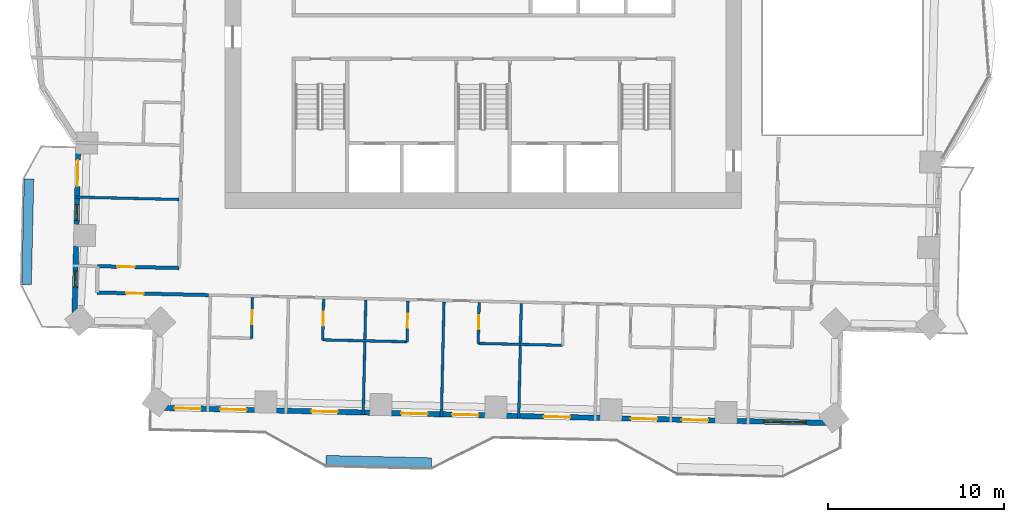
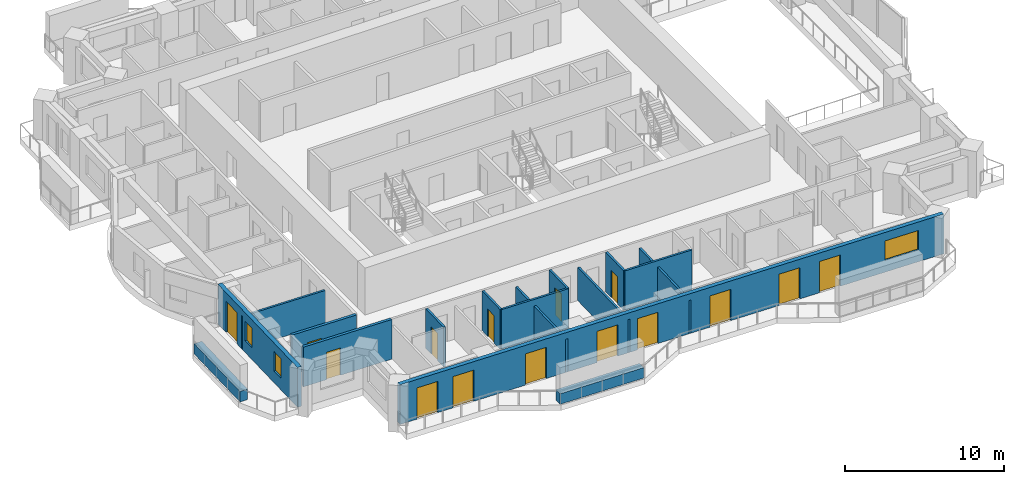
# One storey, part 4 of 14: 16 walls, 15 doors, 3 windows, 18 openings.
"""IFC4 building model written with IfcOpenShell, lengths in metres."""

import ifcopenshell
import ifcopenshell.guid

model = None  # the IFC model being written
_history = None  # IfcOwnerHistory: only IFC2X3 demands one
_inside = {}  # id of a spatial element -> (the spatial element, [elements in it])
_under = {}  # id of a project, library or spatial element -> (it, [spatial elements below it])
_declared = {}  # id of a project -> (the project, [libraries it declares])
_typed = {}  # id of a type object -> (the type object, [elements of that type])
_made_of = {}  # id of a material, layer set ... -> (it, [elements and type objects made of it])


def new_model(schema):
    """Start an empty IFC model of exactly this schema.

    Asked for "IFC4X3", IfcOpenShell would pick the latest addendum, in which some entities
    have other attributes; the version numbers below select the first issue.
    IFC2X3 requires an IfcOwnerHistory on every rooted entity: one is made here for all.
    """
    global model, _history
    if schema == "IFC4X3":
        model = ifcopenshell.file(schema_version=(4, 3, 0, 0))
    else:
        model = ifcopenshell.file(schema=schema)
    _inside.clear()
    _under.clear()
    _declared.clear()
    _typed.clear()
    _made_of.clear()
    _history = None
    if model.schema == "IFC2X3":
        org = make("IfcOrganization", Name="unknown")
        user = make(
            "IfcPersonAndOrganization",
            ThePerson=make("IfcPerson", FamilyName="unknown"),
            TheOrganization=org,
        )
        app = make(
            "IfcApplication",
            ApplicationDeveloper=org,
            Version="unknown",
            ApplicationFullName="unknown",
            ApplicationIdentifier="unknown",
        )
        _history = make(
            "IfcOwnerHistory",
            OwningUser=user,
            OwningApplication=app,
            ChangeAction="ADDED",
            CreationDate=0,
        )
    return model


def make(cls, **values):
    """One entity of the class cls with the attributes given. An attribute that is None is left unset."""
    return model.create_entity(
        cls, **{name: value for name, value in values.items() if value is not None}
    )


def rooted(cls, **values):
    """An entity with a GlobalId (a new one), such as an element, a storey or a relation."""
    return make(cls, GlobalId=ifcopenshell.guid.new(), OwnerHistory=_history, **values)


def si_unit(unit_type, name, prefix=None):
    """IfcSIUnit, for example si_unit("LENGTHUNIT", "METRE", prefix="MILLI")."""
    return make("IfcSIUnit", UnitType=unit_type, Prefix=prefix, Name=name)


def assignment(units):
    """IfcUnitAssignment: the units of a project."""
    return None if units is None else make("IfcUnitAssignment", Units=units)


def point(xyz):
    """IfcCartesianPoint."""
    return None if xyz is None else make("IfcCartesianPoint", Coordinates=xyz)


def direction(xyz):
    """IfcDirection."""
    return None if xyz is None else make("IfcDirection", DirectionRatios=xyz)


def frame(location, z_axis=None, x_axis=None):
    """IfcAxis2Placement3D, a coordinate frame: its origin and axes. An axis left out is left unset."""
    return make(
        "IfcAxis2Placement3D",
        Location=point(location),
        Axis=direction(z_axis),
        RefDirection=direction(x_axis),
    )


def frame_2d(location, x_axis=None):
    """IfcAxis2Placement2D, a coordinate frame in the plane: its origin and x axis."""
    return make(
        "IfcAxis2Placement2D", Location=point(location), RefDirection=direction(x_axis)
    )


def origin():
    """The frame at (0, 0, 0) with its axes left unset."""
    return frame((0.0, 0.0, 0.0))


def place(relative_to, where):
    """IfcLocalPlacement: puts the frame where relative to a parent placement (None: the world)."""
    return make(
        "IfcLocalPlacement", PlacementRelTo=relative_to, RelativePlacement=where
    )


def context(
    kind, dimensions, precision=None, world=None, true_north=None, identifier=None
):
    """IfcGeometricRepresentationContext, for example the 3D "Model" context."""
    return make(
        "IfcGeometricRepresentationContext",
        ContextIdentifier=identifier,
        ContextType=kind,
        CoordinateSpaceDimension=dimensions,
        Precision=precision,
        WorldCoordinateSystem=world,
        TrueNorth=true_north,
    )


def subcontext(parent, identifier, kind, view, scale=None):
    """IfcGeometricRepresentationSubContext, for example "Body" below "Model"."""
    return make(
        "IfcGeometricRepresentationSubContext",
        ContextIdentifier=identifier,
        ContextType=kind,
        ParentContext=parent,
        TargetScale=scale,
        TargetView=view,
    )


def project(units=None, contexts=None):
    """IfcProject with its units and contexts."""
    return rooted(
        "IfcProject",
        Name="project",
        RepresentationContexts=contexts,
        UnitsInContext=assignment(units),
    )


def spatial(cls, under=None, at=None, **own):
    """A site, building, storey or space (cls), placed at a placement, below another one or the project."""
    s = rooted(cls, ObjectPlacement=at, **own)
    if under is not None:
        _under.setdefault(under.id(), (under, []))[1].append(s)
    return s


def profile(cls, at=None, kind="AREA", **sizes):
    """A parametric profile (cls). Its sizes go by their IFC names, for example OverallWidth=200.0."""
    return make(cls, ProfileType=kind, Position=at, **sizes)


def rectangle(**sizes):
    """IfcRectangleProfileDef."""
    return profile("IfcRectangleProfileDef", **sizes)


def extrude(swept, where, along, depth):
    """IfcExtrudedAreaSolid: the profile swept, set in the frame where, extruded along a direction by depth."""
    return make(
        "IfcExtrudedAreaSolid",
        SweptArea=swept,
        Position=where,
        ExtrudedDirection=direction(along),
        Depth=depth,
    )


def shape(context_of_items, identifier, shape_type, items):
    """IfcShapeRepresentation: the items that make up one representation, for example the "Body"."""
    return make(
        "IfcShapeRepresentation",
        ContextOfItems=context_of_items,
        RepresentationIdentifier=identifier,
        RepresentationType=shape_type,
        Items=items,
    )


def material(Name=None, Category=None):
    """IfcMaterial."""
    return make("IfcMaterial", Name=Name, Category=Category)


def layer(
    of_material, thickness, ventilated=None, Name=None, Category=None, Priority=None
):
    """IfcMaterialLayer: one layer of a wall or slab, of a material (None: an air gap)."""
    return make(
        "IfcMaterialLayer",
        Material=of_material,
        LayerThickness=thickness,
        IsVentilated=ventilated,
        Name=Name,
        Category=Category,
        Priority=Priority,
    )


def layer_set(layers, Name=None):
    """IfcMaterialLayerSet."""
    return make("IfcMaterialLayerSet", MaterialLayers=layers, LayerSetName=Name)


def made_of(thing, what):
    """Note that an element or type object is made of a material, layer set ...; save() writes the relation."""
    if what is not None:
        _made_of.setdefault(what.id(), (what, []))[1].append(thing)
    return thing


def type_object(cls, material=None, **own):
    """A type object (cls), such as IfcWallType, which elements share."""
    return made_of(rooted(cls, **own), material)


def element(
    cls,
    number,
    at=None,
    inside=None,
    cuts=None,
    type_object=None,
    material=None,
    context=None,
    identifier="Body",
    shape_type=None,
    held_by="IfcProductDefinitionShape",
    body=None,
    shapes=None,
    **own,
):
    """One element of the class cls, such as IfcWall. Its Tag is "e" and its number.

    at: its placement. inside: the storey or other place that contains it. cuts: it is an
    opening in that element (IfcRelVoidsElement). A single representation is given by context,
    identifier, shape_type and body (its items); several are given by shapes. held_by: the class
    of the entity that holds the representations. save() writes the other relations.
    """
    e = rooted(cls, Tag="e%d" % number, ObjectPlacement=at, **own)
    if body is not None:
        shapes = [shape(context, identifier, shape_type, body)]
    if shapes is not None:
        e.Representation = make(held_by, Representations=shapes)
    if inside is not None:
        _inside.setdefault(inside.id(), (inside, []))[1].append(e)
    if cuts is not None:
        rooted(
            "IfcRelVoidsElement", RelatingBuildingElement=cuts, RelatedOpeningElement=e
        )
    if type_object is not None:
        _typed.setdefault(type_object.id(), (type_object, []))[1].append(e)
    return made_of(e, material)


def fill(opening, filler):
    """IfcRelFillsElement: the door or window that sits in an opening."""
    return rooted(
        "IfcRelFillsElement",
        RelatingOpeningElement=opening,
        RelatedBuildingElement=filler,
    )


def aggregate(whole, parts):
    """IfcRelAggregates: a whole, such as a stair, and the parts it consists of."""
    return rooted("IfcRelAggregates", RelatingObject=whole, RelatedObjects=parts)


def save(model, path):
    """Write the relations noted so far, then the file.

    IfcRelAggregates (storeys below a building ...), IfcRelContainedInSpatialStructure (elements
    in a storey), IfcRelDefinesByType, IfcRelAssociatesMaterial and IfcRelDeclares: one each for
    every whole, place, type object, material and project.
    """
    for whole, parts in _under.values():
        aggregate(whole, parts)
    for where, things in _inside.values():
        rooted(
            "IfcRelContainedInSpatialStructure",
            RelatedElements=things,
            RelatingStructure=where,
        )
    for kind, things in _typed.values():
        rooted("IfcRelDefinesByType", RelatedObjects=things, RelatingType=kind)
    for what, things in _made_of.values():
        rooted("IfcRelAssociatesMaterial", RelatedObjects=things, RelatingMaterial=what)
    for by, libraries in _declared.values():
        rooted("IfcRelDeclares", RelatingContext=by, RelatedDefinitions=libraries)
    model.write(path)


model = new_model("IFC4")

# Units and contexts
model_context = context("Model", 3, precision=1e-05, world=origin(), true_north=direction((0.0, 1.0)))
body_context = subcontext(model_context, "Body", "Model", "MODEL_VIEW")
ifc_project = project(units=[si_unit("LENGTHUNIT", "METRE"), si_unit("AREAUNIT", "SQUARE_METRE"), si_unit("VOLUMEUNIT", "CUBIC_METRE"), si_unit("PLANEANGLEUNIT", "RADIAN"), si_unit("MASSUNIT", "GRAM", prefix="KILO")], contexts=[model_context])

# Site, building, storey
site_placement = place(None, origin())
site = spatial("IfcSite", under=ifc_project, at=site_placement, CompositionType="ELEMENT")
building_placement = place(site_placement, origin())
building = spatial("IfcBuilding", under=site, at=building_placement, Name="Mangrove Gate Tower", CompositionType="ELEMENT")
storey_placement = place(building_placement, frame((0.0, 0.0, 167.10009765625)))
storey = spatial("IfcBuildingStorey", under=building, at=storey_placement, Name="L42", CompositionType="ELEMENT", Elevation=167.10009765625)

# Wall, opening, door
ifc_material_1 = material(Name="Gypsum board on steel stud, EI 60", Category="steel")
ifc_layer_1 = layer(ifc_material_1, 0.199951171875)
ifc_layer_set_1 = layer_set([ifc_layer_1], Name="Corridor wall EI 60")
wall_type_1 = type_object("IfcWallType", Name="Corridor wall EI 60", PredefinedType="PARTITIONING", material=ifc_layer_set_1)
wall_1_placement = place(storey_placement, frame((-21.98291015625, -16.489013671875, 0.0), z_axis=(0.0, 0.0, 1.0), x_axis=(0.999744930163, -0.022584831499, 0.0)))
wall_1 = element("IfcWall", 1, at=wall_1_placement, inside=storey, type_object=wall_type_1, Name="WALL-L42-024", PredefinedType="PARTITIONING", context=body_context, shape_type="SweptSolid", body=[
    extrude(rectangle(XDim=6.334716796875, YDim=0.199951171875, at=frame_2d((3.16748046875, 0.0))), origin(), (0.0, 0.0, 1.0), 3.0498046875),
])
opening_1_placement = place(wall_1_placement, frame((1.6630859375, 0.0, 0.0)))
opening_1 = element("IfcOpeningElement", 2, at=opening_1_placement, cuts=wall_1, Name="Opening AD", PredefinedType="OPENING", context=body_context, shape_type="SweptSolid", body=[
    extrude(rectangle(XDim=1.0, YDim=2.10009765625, at=frame_2d((0.5, 1.050048828125))), frame((0.0, 0.10986328125, 0.0), z_axis=(0.0, -1.0, 0.0), x_axis=(1.0, 0.0, 0.0)), (0.0, 0.0, 1.0), 0.219970703125),
])
ifc_material_2 = material(Name="Timber door leaf", Category="wood")
door_type_1 = type_object("IfcDoorType", Name="Amenity door 1000", OperationType="SINGLE_SWING_LEFT", PredefinedType="DOOR", material=ifc_material_2)
door_1_placement = place(opening_1_placement, origin())
door_1 = element("IfcDoor", 3, at=door_1_placement, inside=storey, type_object=door_type_1, Name="DOOR-L42-STU-c1a", OperationType="SINGLE_SWING_LEFT", OverallHeight=2.10009765625, OverallWidth=1.0, PredefinedType="DOOR", context=body_context, shape_type="SweptSolid", body=[
    extrude(rectangle(XDim=1.0, YDim=2.10009765625, at=frame_2d((0.5, 1.050048828125))), frame((0.0, 0.02490234375, 0.0), z_axis=(0.0, -1.0, 0.0), x_axis=(1.0, 0.0, 0.0)), (0.0, 0.0, 1.0), 0.050048828125),
])
fill(opening_1, door_1)

wall_2_placement = place(storey_placement, frame((-21.948974609375, -14.989013671875, 0.0), z_axis=(0.0, 0.0, 1.0), x_axis=(0.999743491588, -0.022648422179, 0.0)))
wall_2 = element("IfcWall", 4, at=wall_2_placement, inside=storey, type_object=wall_type_1, Name="WALL-L42-031", PredefinedType="PARTITIONING", context=body_context, shape_type="SweptSolid", body=[
    extrude(rectangle(XDim=4.63525390625, YDim=0.199951171875, at=frame_2d((2.317626953125, 0.0))), origin(), (0.0, 0.0, 1.0), 3.0498046875),
])
opening_2_placement = place(wall_2_placement, frame((1.116943359375, 0.0, 0.0)))
opening_2 = element("IfcOpeningElement", 5, at=opening_2_placement, cuts=wall_2, Name="Opening AD", PredefinedType="OPENING", context=body_context, shape_type="SweptSolid", body=[
    extrude(rectangle(XDim=1.0, YDim=2.10009765625, at=frame_2d((0.5, 1.050048828125))), frame((0.0, 0.10986328125, 0.0), z_axis=(0.0, -1.0, 0.0), x_axis=(1.0, 0.0, 0.0)), (0.0, 0.0, 1.0), 0.219970703125),
])
door_2_placement = place(opening_2_placement, origin())
door_2 = element("IfcDoor", 6, at=door_2_placement, inside=storey, type_object=door_type_1, Name="DOOR-L42-KIT-c5d", OperationType="SINGLE_SWING_RIGHT", OverallHeight=2.10009765625, OverallWidth=1.0, PredefinedType="DOOR", context=body_context, shape_type="SweptSolid", body=[
    extrude(rectangle(XDim=1.0, YDim=2.10009765625, at=frame_2d((0.5, 1.050048828125))), frame((0.0, 0.02490234375, 0.0), z_axis=(0.0, -1.0, 0.0), x_axis=(1.0, 0.0, 0.0)), (0.0, 0.0, 1.0), 0.050048828125),
])
fill(opening_2, door_2)

# Wall, openings, door, windows
ifc_material_3 = material(Name="Limestone", Category="masonry")
ifc_layer_2 = layer(ifc_material_3, 0.0400390625, Name="Limestone cladding")
ifc_material_4 = material(Name="Ventilated air gap")
ifc_layer_3 = layer(ifc_material_4, 0.0400390625, Name="Ventilated cavity")
ifc_material_5 = material(Name="Mineral wool insulation")
ifc_layer_4 = layer(ifc_material_5, 0.06005859375, Name="Insulation")
ifc_material_6 = material(Name="Breather membrane")
ifc_layer_5 = layer(ifc_material_6, 0.001953125, Name="Breather membrane")
ifc_material_7 = material(Name="Concrete C20/25 blockwork", Category="masonry")
ifc_layer_6 = layer(ifc_material_7, 0.14990234375, Name="Blockwork backing wall")
ifc_material_8 = material(Name="Gypsum plaster")
ifc_layer_7 = layer(ifc_material_8, 0.008056640625, Name="Internal plaster")
ifc_layer_set_2 = layer_set([ifc_layer_2, ifc_layer_3, ifc_layer_4, ifc_layer_5, ifc_layer_6, ifc_layer_7], Name="External wall 300 limestone cladding")
wall_type_2 = type_object("IfcWallType", Name="External wall 300 limestone cladding", PredefinedType="SOLIDWALL", material=ifc_layer_set_2)
wall_3_placement = place(storey_placement, frame((-23.0380859375, -7.9130859375, 0.0), z_axis=(0.0, 0.0, 1.0), x_axis=(-0.022705985163, -0.999742185885, 0.0)))
wall_3 = element("IfcWall", 7, at=wall_3_placement, inside=storey, type_object=wall_type_2, Name="WALL-L42-W10", PredefinedType="SOLIDWALL", context=body_context, shape_type="SweptSolid", body=[
    extrude(rectangle(XDim=10.4296875, YDim=0.300048828125, at=frame_2d((5.21484375, 0.0))), origin(), (0.0, 0.0, 1.0), 3.0498046875),
])
opening_3_placement = place(wall_3_placement, frame((1.041015625, 0.0, 0.0)))
opening_3 = element("IfcOpeningElement", 8, at=opening_3_placement, cuts=wall_3, Name="Opening BD1", PredefinedType="OPENING", context=body_context, shape_type="SweptSolid", body=[
    extrude(rectangle(XDim=1.5, YDim=2.39990234375, at=frame_2d((0.75, 1.199951171875))), frame((0.0, 0.159912109375, 0.0), z_axis=(0.0, -1.0, 0.0), x_axis=(1.0, 0.0, 0.0)), (0.0, 0.0, 1.0), 0.320068359375),
])
opening_4_placement = place(wall_3_placement, frame((3.572998046875, 0.0, 0.89990234375)))
opening_4 = element("IfcOpeningElement", 9, at=opening_4_placement, cuts=wall_3, Name="Opening W5", PredefinedType="OPENING", context=body_context, shape_type="SweptSolid", body=[
    extrude(rectangle(XDim=0.89990234375, YDim=1.5, at=frame_2d((0.449951171875, 0.75))), frame((0.0, 0.159912109375, 0.0), z_axis=(0.0, -1.0, 0.0), x_axis=(1.0, 0.0, 0.0)), (0.0, 0.0, 1.0), 0.320068359375),
])
opening_5_placement = place(wall_3_placement, frame((7.35302734375, 0.0, 0.89990234375)))
opening_5 = element("IfcOpeningElement", 10, at=opening_5_placement, cuts=wall_3, Name="Opening W5", PredefinedType="OPENING", context=body_context, shape_type="SweptSolid", body=[
    extrude(rectangle(XDim=0.89990234375, YDim=1.5, at=frame_2d((0.449951171875, 0.75))), frame((0.0, 0.159912109375, 0.0), z_axis=(0.0, -1.0, 0.0), x_axis=(1.0, 0.0, 0.0)), (0.0, 0.0, 1.0), 0.320068359375),
])
ifc_material_9 = material(Name="Aluminium frame with laminated clear glass", Category="aluminium")
door_type_2 = type_object("IfcDoorType", Name="Balcony sliding door 1500x2400", OperationType="SLIDING_TO_LEFT", PredefinedType="DOOR", material=ifc_material_9)
door_3_placement = place(opening_3_placement, origin())
door_3 = element("IfcDoor", 11, at=door_3_placement, inside=storey, type_object=door_type_2, Name="DOOR-L42-W10-1", OperationType="SLIDING_TO_LEFT", OverallHeight=2.39990234375, OverallWidth=1.5, PredefinedType="DOOR", context=body_context, shape_type="SweptSolid", body=[
    extrude(rectangle(XDim=1.5, YDim=2.39990234375, at=frame_2d((0.75, 1.199951171875))), frame((0.0, 0.02490234375, 0.0), z_axis=(0.0, -1.0, 0.0), x_axis=(1.0, 0.0, 0.0)), (0.0, 0.0, 1.0), 0.050048828125),
])
fill(opening_3, door_3)
ifc_material_10 = material(Name="Aluminium frame with double-glazed low-e glass", Category="aluminium")
window_type_1 = type_object("IfcWindowType", Name="Narrow window 900x1500", PartitioningType="SINGLE_PANEL", PredefinedType="WINDOW", material=ifc_material_10)
window_1_placement = place(opening_4_placement, origin())
window_1 = element("IfcWindow", 12, at=window_1_placement, inside=storey, type_object=window_type_1, Name="WIN-L42-W10-2", OverallHeight=1.5, OverallWidth=0.89990234375, PartitioningType="SINGLE_PANEL", PredefinedType="WINDOW", context=body_context, shape_type="SweptSolid", body=[
    extrude(rectangle(XDim=0.89990234375, YDim=1.5, at=frame_2d((0.449951171875, 0.75))), frame((0.0, 0.030029296875, 0.0), z_axis=(0.0, -1.0, 0.0), x_axis=(1.0, 0.0, 0.0)), (0.0, 0.0, 1.0), 0.06005859375),
])
fill(opening_4, window_1)
window_2_placement = place(opening_5_placement, origin())
window_2 = element("IfcWindow", 13, at=window_2_placement, inside=storey, type_object=window_type_1, Name="WIN-L42-W10-3", OverallHeight=1.5, OverallWidth=0.89990234375, PartitioningType="SINGLE_PANEL", PredefinedType="WINDOW", context=body_context, shape_type="SweptSolid", body=[
    extrude(rectangle(XDim=0.89990234375, YDim=1.5, at=frame_2d((0.449951171875, 0.75))), frame((0.0, 0.030029296875, 0.0), z_axis=(0.0, -1.0, 0.0), x_axis=(1.0, 0.0, 0.0)), (0.0, 0.0, 1.0), 0.06005859375),
])
fill(opening_5, window_2)

# Wall, openings, doors, window
wall_4_placement = place(storey_placement, frame((-18.781005859375, -23.04296875, 0.0), z_axis=(0.0, 0.0, 1.0), x_axis=(0.999742794992, -0.022679150367, 0.0)))
wall_4 = element("IfcWall", 14, at=wall_4_placement, inside=storey, type_object=wall_type_2, Name="WALL-L42-S13", PredefinedType="SOLIDWALL", context=body_context, shape_type="SweptSolid", body=[
    extrude(rectangle(XDim=38.97998046875, YDim=0.300048828125, at=frame_2d((19.489990234375, 0.0))), origin(), (0.0, 0.0, 1.0), 3.0498046875),
])
opening_6_placement = place(wall_4_placement, frame((1.215087890625, 0.0, 0.0)))
opening_6 = element("IfcOpeningElement", 15, at=opening_6_placement, cuts=wall_4, Name="Opening BD1", PredefinedType="OPENING", context=body_context, shape_type="SweptSolid", body=[
    extrude(rectangle(XDim=1.5, YDim=2.39990234375, at=frame_2d((0.75, 1.199951171875))), frame((0.0, 0.159912109375, 0.0), z_axis=(0.0, -1.0, 0.0), x_axis=(1.0, 0.0, 0.0)), (0.0, 0.0, 1.0), 0.320068359375),
])
opening_7_placement = place(wall_4_placement, frame((3.81103515625, 0.0, 0.0)))
opening_7 = element("IfcOpeningElement", 16, at=opening_7_placement, cuts=wall_4, Name="Opening BD1", PredefinedType="OPENING", context=body_context, shape_type="SweptSolid", body=[
    extrude(rectangle(XDim=1.5, YDim=2.39990234375, at=frame_2d((0.75, 1.199951171875))), frame((0.0, 0.159912109375, 0.0), z_axis=(0.0, -1.0, 0.0), x_axis=(1.0, 0.0, 0.0)), (0.0, 0.0, 1.0), 0.320068359375),
])
opening_8_placement = place(wall_4_placement, frame((9.0, 0.0, 0.0)))
opening_8 = element("IfcOpeningElement", 17, at=opening_8_placement, cuts=wall_4, Name="Opening BD1", PredefinedType="OPENING", context=body_context, shape_type="SweptSolid", body=[
    extrude(rectangle(XDim=1.5, YDim=2.39990234375, at=frame_2d((0.75, 1.199951171875))), frame((0.0, 0.159912109375, 0.0), z_axis=(0.0, -1.0, 0.0), x_axis=(1.0, 0.0, 0.0)), (0.0, 0.0, 1.0), 0.320068359375),
])
opening_9_placement = place(wall_4_placement, frame((14.10888671875, 0.0, 0.0)))
opening_9 = element("IfcOpeningElement", 18, at=opening_9_placement, cuts=wall_4, Name="Opening BD1", PredefinedType="OPENING", context=body_context, shape_type="SweptSolid", body=[
    extrude(rectangle(XDim=1.5, YDim=2.39990234375, at=frame_2d((0.75, 1.199951171875))), frame((0.0, 0.159912109375, 0.0), z_axis=(0.0, -1.0, 0.0), x_axis=(1.0, 0.0, 0.0)), (0.0, 0.0, 1.0), 0.320068359375),
])
opening_10_placement = place(wall_4_placement, frame((17.008056640625, 0.0, 0.0)))
opening_10 = element("IfcOpeningElement", 19, at=opening_10_placement, cuts=wall_4, Name="Opening BD1", PredefinedType="OPENING", context=body_context, shape_type="SweptSolid", body=[
    extrude(rectangle(XDim=1.5, YDim=2.39990234375, at=frame_2d((0.75, 1.199951171875))), frame((0.0, 0.159912109375, 0.0), z_axis=(0.0, -1.0, 0.0), x_axis=(1.0, 0.0, 0.0)), (0.0, 0.0, 1.0), 0.320068359375),
])
opening_11_placement = place(wall_4_placement, frame((22.22509765625, 0.0, 0.0)))
opening_11 = element("IfcOpeningElement", 20, at=opening_11_placement, cuts=wall_4, Name="Opening BD1", PredefinedType="OPENING", context=body_context, shape_type="SweptSolid", body=[
    extrude(rectangle(XDim=1.5, YDim=2.39990234375, at=frame_2d((0.75, 1.199951171875))), frame((0.0, 0.159912109375, 0.0), z_axis=(0.0, -1.0, 0.0), x_axis=(1.0, 0.0, 0.0)), (0.0, 0.0, 1.0), 0.320068359375),
])
opening_12_placement = place(wall_4_placement, frame((27.180908203125, 0.0, 0.0)))
opening_12 = element("IfcOpeningElement", 21, at=opening_12_placement, cuts=wall_4, Name="Opening BD1", PredefinedType="OPENING", context=body_context, shape_type="SweptSolid", body=[
    extrude(rectangle(XDim=1.5, YDim=2.39990234375, at=frame_2d((0.75, 1.199951171875))), frame((0.0, 0.159912109375, 0.0), z_axis=(0.0, -1.0, 0.0), x_axis=(1.0, 0.0, 0.0)), (0.0, 0.0, 1.0), 0.320068359375),
])
opening_13_placement = place(wall_4_placement, frame((30.0791015625, 0.0, 0.0)))
opening_13 = element("IfcOpeningElement", 22, at=opening_13_placement, cuts=wall_4, Name="Opening BD1", PredefinedType="OPENING", context=body_context, shape_type="SweptSolid", body=[
    extrude(rectangle(XDim=1.5, YDim=2.39990234375, at=frame_2d((0.75, 1.199951171875))), frame((0.0, 0.159912109375, 0.0), z_axis=(0.0, -1.0, 0.0), x_axis=(1.0, 0.0, 0.0)), (0.0, 0.0, 1.0), 0.320068359375),
])
opening_14_placement = place(wall_4_placement, frame((34.7509765625, 0.0, 0.89990234375)))
opening_14 = element("IfcOpeningElement", 23, at=opening_14_placement, cuts=wall_4, Name="Opening W2", PredefinedType="OPENING", context=body_context, shape_type="SweptSolid", body=[
    extrude(rectangle(XDim=2.39990234375, YDim=1.5, at=frame_2d((1.199951171875, 0.75))), frame((0.0, 0.159912109375, 0.0), z_axis=(0.0, -1.0, 0.0), x_axis=(1.0, 0.0, 0.0)), (0.0, 0.0, 1.0), 0.320068359375),
])
door_4_placement = place(opening_6_placement, origin())
door_4 = element("IfcDoor", 24, at=door_4_placement, inside=storey, type_object=door_type_2, Name="DOOR-L42-S13-1", OperationType="SLIDING_TO_LEFT", OverallHeight=2.39990234375, OverallWidth=1.5, PredefinedType="DOOR", context=body_context, shape_type="SweptSolid", body=[
    extrude(rectangle(XDim=1.5, YDim=2.39990234375, at=frame_2d((0.75, 1.199951171875))), frame((0.0, 0.02490234375, 0.0), z_axis=(0.0, -1.0, 0.0), x_axis=(1.0, 0.0, 0.0)), (0.0, 0.0, 1.0), 0.050048828125),
])
fill(opening_6, door_4)
door_5_placement = place(opening_7_placement, origin())
door_5 = element("IfcDoor", 25, at=door_5_placement, inside=storey, type_object=door_type_2, Name="DOOR-L42-S13-2", OperationType="SLIDING_TO_LEFT", OverallHeight=2.39990234375, OverallWidth=1.5, PredefinedType="DOOR", context=body_context, shape_type="SweptSolid", body=[
    extrude(rectangle(XDim=1.5, YDim=2.39990234375, at=frame_2d((0.75, 1.199951171875))), frame((0.0, 0.02490234375, 0.0), z_axis=(0.0, -1.0, 0.0), x_axis=(1.0, 0.0, 0.0)), (0.0, 0.0, 1.0), 0.050048828125),
])
fill(opening_7, door_5)
door_6_placement = place(opening_8_placement, origin())
door_6 = element("IfcDoor", 26, at=door_6_placement, inside=storey, type_object=door_type_2, Name="DOOR-L42-S13-3", OperationType="SLIDING_TO_LEFT", OverallHeight=2.39990234375, OverallWidth=1.5, PredefinedType="DOOR", context=body_context, shape_type="SweptSolid", body=[
    extrude(rectangle(XDim=1.5, YDim=2.39990234375, at=frame_2d((0.75, 1.199951171875))), frame((0.0, 0.02490234375, 0.0), z_axis=(0.0, -1.0, 0.0), x_axis=(1.0, 0.0, 0.0)), (0.0, 0.0, 1.0), 0.050048828125),
])
fill(opening_8, door_6)
door_7_placement = place(opening_9_placement, origin())
door_7 = element("IfcDoor", 27, at=door_7_placement, inside=storey, type_object=door_type_2, Name="DOOR-L42-S13-4", OperationType="SLIDING_TO_LEFT", OverallHeight=2.39990234375, OverallWidth=1.5, PredefinedType="DOOR", context=body_context, shape_type="SweptSolid", body=[
    extrude(rectangle(XDim=1.5, YDim=2.39990234375, at=frame_2d((0.75, 1.199951171875))), frame((0.0, 0.02490234375, 0.0), z_axis=(0.0, -1.0, 0.0), x_axis=(1.0, 0.0, 0.0)), (0.0, 0.0, 1.0), 0.050048828125),
])
fill(opening_9, door_7)
door_8_placement = place(opening_10_placement, origin())
door_8 = element("IfcDoor", 28, at=door_8_placement, inside=storey, type_object=door_type_2, Name="DOOR-L42-S13-5", OperationType="SLIDING_TO_LEFT", OverallHeight=2.39990234375, OverallWidth=1.5, PredefinedType="DOOR", context=body_context, shape_type="SweptSolid", body=[
    extrude(rectangle(XDim=1.5, YDim=2.39990234375, at=frame_2d((0.75, 1.199951171875))), frame((0.0, 0.02490234375, 0.0), z_axis=(0.0, -1.0, 0.0), x_axis=(1.0, 0.0, 0.0)), (0.0, 0.0, 1.0), 0.050048828125),
])
fill(opening_10, door_8)
door_9_placement = place(opening_11_placement, origin())
door_9 = element("IfcDoor", 29, at=door_9_placement, inside=storey, type_object=door_type_2, Name="DOOR-L42-S13-6", OperationType="SLIDING_TO_LEFT", OverallHeight=2.39990234375, OverallWidth=1.5, PredefinedType="DOOR", context=body_context, shape_type="SweptSolid", body=[
    extrude(rectangle(XDim=1.5, YDim=2.39990234375, at=frame_2d((0.75, 1.199951171875))), frame((0.0, 0.02490234375, 0.0), z_axis=(0.0, -1.0, 0.0), x_axis=(1.0, 0.0, 0.0)), (0.0, 0.0, 1.0), 0.050048828125),
])
fill(opening_11, door_9)
door_10_placement = place(opening_12_placement, origin())
door_10 = element("IfcDoor", 30, at=door_10_placement, inside=storey, type_object=door_type_2, Name="DOOR-L42-S13-7", OperationType="SLIDING_TO_LEFT", OverallHeight=2.39990234375, OverallWidth=1.5, PredefinedType="DOOR", context=body_context, shape_type="SweptSolid", body=[
    extrude(rectangle(XDim=1.5, YDim=2.39990234375, at=frame_2d((0.75, 1.199951171875))), frame((0.0, 0.02490234375, 0.0), z_axis=(0.0, -1.0, 0.0), x_axis=(1.0, 0.0, 0.0)), (0.0, 0.0, 1.0), 0.050048828125),
])
fill(opening_12, door_10)
door_11_placement = place(opening_13_placement, origin())
door_11 = element("IfcDoor", 31, at=door_11_placement, inside=storey, type_object=door_type_2, Name="DOOR-L42-S13-8", OperationType="SLIDING_TO_LEFT", OverallHeight=2.39990234375, OverallWidth=1.5, PredefinedType="DOOR", context=body_context, shape_type="SweptSolid", body=[
    extrude(rectangle(XDim=1.5, YDim=2.39990234375, at=frame_2d((0.75, 1.199951171875))), frame((0.0, 0.02490234375, 0.0), z_axis=(0.0, -1.0, 0.0), x_axis=(1.0, 0.0, 0.0)), (0.0, 0.0, 1.0), 0.050048828125),
])
fill(opening_13, door_11)
ifc_material_11 = material(Name="Aluminium frame with double-glazed low-e glass", Category="aluminium")
window_type_2 = type_object("IfcWindowType", Name="Corner room window 2400x1500", PartitioningType="DOUBLE_PANEL_VERTICAL", PredefinedType="WINDOW", material=ifc_material_11)
window_3_placement = place(opening_14_placement, origin())
window_3 = element("IfcWindow", 32, at=window_3_placement, inside=storey, type_object=window_type_2, Name="WIN-L42-S13-9", OverallHeight=1.5, OverallWidth=2.39990234375, PartitioningType="DOUBLE_PANEL_VERTICAL", PredefinedType="WINDOW", context=body_context, shape_type="SweptSolid", body=[
    extrude(rectangle(XDim=2.39990234375, YDim=1.5, at=frame_2d((1.199951171875, 0.75))), frame((0.0, 0.030029296875, 0.0), z_axis=(0.0, -1.0, 0.0), x_axis=(1.0, 0.0, 0.0)), (0.0, 0.0, 1.0), 0.06005859375),
])
fill(opening_14, window_3)

# Walls
ifc_material_12 = material(Name="Gypsum board on steel stud, EI 60", Category="steel")
ifc_layer_8 = layer(ifc_material_12, 0.14990234375)
ifc_layer_set_3 = layer_set([ifc_layer_8], Name="Party wall 150 EI 60")
wall_type_3 = type_object("IfcWallType", Name="Party wall 150 EI 60", PredefinedType="PARTITIONING", material=ifc_layer_set_3)
wall_5_placement = place(storey_placement, frame((-6.8369140625, -23.464111328125, 0.0), z_axis=(0.0, 0.0, 1.0), x_axis=(0.022734104141, 0.999741546855, 0.0)))
element("IfcWall", 33, at=wall_5_placement, inside=storey, type_object=wall_type_3, Name="WALL-L42-003", PredefinedType="PARTITIONING", context=body_context, shape_type="SweptSolid", body=[
    extrude(rectangle(XDim=6.55078125, YDim=0.14990234375, at=frame_2d((3.275390625, 0.0))), origin(), (0.0, 0.0, 1.0), 2.5498046875),
])
wall_6_placement = place(storey_placement, frame((-2.387939453125, -23.56494140625, 0.0), z_axis=(0.0, 0.0, 1.0), x_axis=(0.022585945885, 0.999744904988, 0.0)))
element("IfcWall", 34, at=wall_6_placement, inside=storey, type_object=wall_type_3, Name="WALL-L42-004", PredefinedType="PARTITIONING", context=body_context, shape_type="SweptSolid", body=[
    extrude(rectangle(XDim=6.550537109375, YDim=0.14990234375, at=frame_2d((3.275390625, 0.0))), origin(), (0.0, 0.0, 1.0), 2.5498046875),
])
wall_7_placement = place(storey_placement, frame((2.010986328125, -23.6650390625, 0.0), z_axis=(0.0, 0.0, 1.0), x_axis=(0.022585104341, 0.999744923999, 0.0)))
element("IfcWall", 35, at=wall_7_placement, inside=storey, type_object=wall_type_3, Name="WALL-L42-005", PredefinedType="PARTITIONING", context=body_context, shape_type="SweptSolid", body=[
    extrude(rectangle(XDim=6.55078125, YDim=0.14990234375, at=frame_2d((3.275390625, 0.0))), origin(), (0.0, 0.0, 1.0), 2.5498046875),
])

# Wall, opening, door
wall_8_placement = place(storey_placement, frame((-13.18994140625, -19.093017578125, 0.0), z_axis=(0.0, 0.0, 1.0), x_axis=(0.02279059109, 0.999740260747, 0.0)))
wall_8 = element("IfcWall", 36, at=wall_8_placement, inside=storey, type_object=wall_type_3, Name="WALL-L42-009", PredefinedType="PARTITIONING", context=body_context, shape_type="SweptSolid", body=[
    extrude(rectangle(XDim=2.324462890625, YDim=0.14990234375, at=frame_2d((1.162109375, 0.0))), origin(), (0.0, 0.0, 1.0), 3.0498046875),
])
opening_15_placement = place(wall_8_placement, frame((0.800048828125, 0.0, 0.0)))
opening_15 = element("IfcOpeningElement", 37, at=opening_15_placement, cuts=wall_8, Name="Opening ED", PredefinedType="OPENING", context=body_context, shape_type="SweptSolid", body=[
    extrude(rectangle(XDim=0.800048828125, YDim=2.10009765625, at=frame_2d((0.39990234375, 1.050048828125))), frame((0.0, 0.0849609375, 0.0), z_axis=(0.0, -1.0, 0.0), x_axis=(1.0, 0.0, 0.0)), (0.0, 0.0, 1.0), 0.169921875),
])
ifc_material_13 = material(Name="Timber door leaf", Category="wood")
door_type_3 = type_object("IfcDoorType", Name="En-suite door 800", OperationType="SINGLE_SWING_LEFT", PredefinedType="DOOR", material=ifc_material_13)
door_12_placement = place(opening_15_placement, origin())
door_12 = element("IfcDoor", 38, at=door_12_placement, inside=storey, type_object=door_type_3, Name="DOOR-L42-ENS-c101", OperationType="SINGLE_SWING_LEFT", OverallHeight=2.10009765625, OverallWidth=0.800048828125, PredefinedType="DOOR", context=body_context, shape_type="SweptSolid", body=[
    extrude(rectangle(XDim=0.800048828125, YDim=2.10009765625, at=frame_2d((0.39990234375, 1.050048828125))), frame((0.0, 0.02490234375, 0.0), z_axis=(0.0, -1.0, 0.0), x_axis=(1.0, 0.0, 0.0)), (0.0, 0.0, 1.0), 0.050048828125),
])
fill(opening_15, door_12)

wall_9_placement = place(storey_placement, frame((-9.14111328125, -19.18505859375, 0.0), z_axis=(0.0, 0.0, 1.0), x_axis=(0.022885950011, 0.999738082346, 0.0)))
wall_9 = element("IfcWall", 39, at=wall_9_placement, inside=storey, type_object=wall_type_3, Name="WALL-L42-010", PredefinedType="PARTITIONING", context=body_context, shape_type="SweptSolid", body=[
    extrude(rectangle(XDim=2.325439453125, YDim=0.14990234375, at=frame_2d((1.16259765625, 0.0))), origin(), (0.0, 0.0, 1.0), 3.0498046875),
])
opening_16_placement = place(wall_9_placement, frame((0.800048828125, 0.0, 0.0)))
opening_16 = element("IfcOpeningElement", 40, at=opening_16_placement, cuts=wall_9, Name="Opening ED", PredefinedType="OPENING", context=body_context, shape_type="SweptSolid", body=[
    extrude(rectangle(XDim=0.800048828125, YDim=2.10009765625, at=frame_2d((0.39990234375, 1.050048828125))), frame((0.0, 0.0849609375, 0.0), z_axis=(0.0, -1.0, 0.0), x_axis=(1.0, 0.0, 0.0)), (0.0, 0.0, 1.0), 0.169921875),
])
door_13_placement = place(opening_16_placement, origin())
door_13 = element("IfcDoor", 41, at=door_13_placement, inside=storey, type_object=door_type_3, Name="DOOR-L42-ENS-c102", OperationType="SINGLE_SWING_RIGHT", OverallHeight=2.10009765625, OverallWidth=0.800048828125, PredefinedType="DOOR", context=body_context, shape_type="SweptSolid", body=[
    extrude(rectangle(XDim=0.800048828125, YDim=2.10009765625, at=frame_2d((0.39990234375, 1.050048828125))), frame((0.0, 0.02490234375, 0.0), z_axis=(0.0, -1.0, 0.0), x_axis=(1.0, 0.0, 0.0)), (0.0, 0.0, 1.0), 0.050048828125),
])
fill(opening_16, door_13)

wall_10_placement = place(storey_placement, frame((-4.342041015625, -19.2939453125, 0.0), z_axis=(0.0, 0.0, 1.0), x_axis=(0.022781023197, 0.999740478815, 0.0)))
wall_10 = element("IfcWall", 42, at=wall_10_placement, inside=storey, type_object=wall_type_3, Name="WALL-L42-011", PredefinedType="PARTITIONING", context=body_context, shape_type="SweptSolid", body=[
    extrude(rectangle(XDim=2.325439453125, YDim=0.14990234375, at=frame_2d((1.16259765625, 0.0))), origin(), (0.0, 0.0, 1.0), 3.0498046875),
])
opening_17_placement = place(wall_10_placement, frame((0.800048828125, 0.0, 0.0)))
opening_17 = element("IfcOpeningElement", 43, at=opening_17_placement, cuts=wall_10, Name="Opening ED", PredefinedType="OPENING", context=body_context, shape_type="SweptSolid", body=[
    extrude(rectangle(XDim=0.800048828125, YDim=2.10009765625, at=frame_2d((0.39990234375, 1.050048828125))), frame((0.0, 0.0849609375, 0.0), z_axis=(0.0, -1.0, 0.0), x_axis=(1.0, 0.0, 0.0)), (0.0, 0.0, 1.0), 0.169921875),
])
door_14_placement = place(opening_17_placement, origin())
door_14 = element("IfcDoor", 44, at=door_14_placement, inside=storey, type_object=door_type_3, Name="DOOR-L42-ENS-c103", OperationType="SINGLE_SWING_LEFT", OverallHeight=2.10009765625, OverallWidth=0.800048828125, PredefinedType="DOOR", context=body_context, shape_type="SweptSolid", body=[
    extrude(rectangle(XDim=0.800048828125, YDim=2.10009765625, at=frame_2d((0.39990234375, 1.050048828125))), frame((0.0, 0.02490234375, 0.0), z_axis=(0.0, -1.0, 0.0), x_axis=(1.0, 0.0, 0.0)), (0.0, 0.0, 1.0), 0.050048828125),
])
fill(opening_17, door_14)

wall_11_placement = place(storey_placement, frame((-0.29296875, -19.385986328125, 0.0), z_axis=(0.0, 0.0, 1.0), x_axis=(0.022781023197, 0.999740478815, 0.0)))
wall_11 = element("IfcWall", 45, at=wall_11_placement, inside=storey, type_object=wall_type_3, Name="WALL-L42-012", PredefinedType="PARTITIONING", context=body_context, shape_type="SweptSolid", body=[
    extrude(rectangle(XDim=2.325439453125, YDim=0.14990234375, at=frame_2d((1.16259765625, 0.0))), origin(), (0.0, 0.0, 1.0), 3.0498046875),
])
opening_18_placement = place(wall_11_placement, frame((0.800048828125, 0.0, 0.0)))
opening_18 = element("IfcOpeningElement", 46, at=opening_18_placement, cuts=wall_11, Name="Opening ED", PredefinedType="OPENING", context=body_context, shape_type="SweptSolid", body=[
    extrude(rectangle(XDim=0.800048828125, YDim=2.10009765625, at=frame_2d((0.39990234375, 1.050048828125))), frame((0.0, 0.0849609375, 0.0), z_axis=(0.0, -1.0, 0.0), x_axis=(1.0, 0.0, 0.0)), (0.0, 0.0, 1.0), 0.169921875),
])
door_15_placement = place(opening_18_placement, origin())
door_15 = element("IfcDoor", 47, at=door_15_placement, inside=storey, type_object=door_type_3, Name="DOOR-L42-ENS-c204", OperationType="SINGLE_SWING_RIGHT", OverallHeight=2.10009765625, OverallWidth=0.800048828125, PredefinedType="DOOR", context=body_context, shape_type="SweptSolid", body=[
    extrude(rectangle(XDim=0.800048828125, YDim=2.10009765625, at=frame_2d((0.39990234375, 1.050048828125))), frame((0.0, 0.02490234375, 0.0), z_axis=(0.0, -1.0, 0.0), x_axis=(1.0, 0.0, 0.0)), (0.0, 0.0, 1.0), 0.050048828125),
])
fill(opening_18, door_15)

# Walls
wall_12_placement = place(storey_placement, frame((-9.139892578125, -19.180908203125, 0.0), z_axis=(0.0, 0.0, 1.0), x_axis=(0.999741415159, -0.022739894798, 0.0)))
element("IfcWall", 48, at=wall_12_placement, inside=storey, type_object=wall_type_3, Name="WALL-L42-017", PredefinedType="PARTITIONING", context=body_context, shape_type="SweptSolid", body=[
    extrude(rectangle(XDim=4.799072265625, YDim=0.14990234375, at=frame_2d((2.3994140625, 0.0))), origin(), (0.0, 0.0, 1.0), 3.0498046875),
])
wall_13_placement = place(storey_placement, frame((-0.29296875, -19.382080078125, 0.0), z_axis=(0.0, 0.0, 1.0), x_axis=(0.999742701292, -0.022683280499, 0.0)))
element("IfcWall", 49, at=wall_13_placement, inside=storey, type_object=wall_type_3, Name="WALL-L42-018", PredefinedType="PARTITIONING", context=body_context, shape_type="SweptSolid", body=[
    extrude(rectangle(XDim=4.80029296875, YDim=0.14990234375, at=frame_2d((2.400146484375, 0.0))), origin(), (0.0, 0.0, 1.0), 3.0498046875),
])
wall_14_placement = place(storey_placement, frame((-23.260009765625, -11.05810546875, 0.0), z_axis=(0.0, 0.0, 1.0), x_axis=(0.99974128315, -0.022745697753, 0.0)))
element("IfcWall", 50, at=wall_14_placement, inside=storey, type_object=wall_type_3, Name="WALL-L42-035", PredefinedType="PARTITIONING", context=body_context, shape_type="SweptSolid", body=[
    extrude(rectangle(XDim=5.935546875, YDim=0.14990234375, at=frame_2d((2.9677734375, 0.0))), origin(), (0.0, 0.0, 1.0), 2.5498046875),
])
ifc_material_14 = material(Name="Concrete C32/40", Category="concrete")
ifc_layer_9 = layer(ifc_material_14, 0.199951171875, Name="Planter trough wall")
ifc_material_15 = material(Name="Bituminous waterproofing membrane")
ifc_layer_10 = layer(ifc_material_15, 0.0048828125, Name="Waterproofing")
ifc_material_16 = material(Name="Drainage board and gravel")
ifc_layer_11 = layer(ifc_material_16, 0.044921875, Name="Drainage layer")
ifc_material_17 = material(Name="Planting soil")
ifc_layer_12 = layer(ifc_material_17, 0.300048828125, Name="Growing medium")
ifc_layer_set_4 = layer_set([ifc_layer_9, ifc_layer_10, ifc_layer_11, ifc_layer_12], Name="Planter wall 550 C32/40")
wall_type_4 = type_object("IfcWallType", Name="Planter wall 550 C32/40", PredefinedType="USERDEFINED", material=ifc_layer_set_4)
wall_15_placement = place(storey_placement, frame((-25.988037109375, -16.028076171875, 0.0), z_axis=(0.0, 0.0, 1.0), x_axis=(0.022662255828, 0.999743178102, 0.0)))
element("IfcWall", 51, at=wall_15_placement, inside=storey, type_object=wall_type_4, Name="PLANTER L42 W1.1", ObjectType="PLANTER", PredefinedType="USERDEFINED", context=body_context, shape_type="SweptSolid", body=[
    extrude(rectangle(XDim=6.00048828125, YDim=0.550048828125, at=frame_2d((3.000244140625, 0.0))), origin(), (0.0, 0.0, 1.0), 0.7998046875),
])
wall_16_placement = place(storey_placement, frame((-8.9560546875, -26.031982421875, 0.0), z_axis=(0.0, 0.0, 1.0), x_axis=(0.999743094499, -0.022665943652, 0.0)))
element("IfcWall", 52, at=wall_16_placement, inside=storey, type_object=wall_type_4, Name="PLANTER L42 S0.1", ObjectType="PLANTER", PredefinedType="USERDEFINED", context=body_context, shape_type="SweptSolid", body=[
    extrude(rectangle(XDim=5.99951171875, YDim=0.550048828125, at=frame_2d((2.999755859375, 0.0))), origin(), (0.0, 0.0, 1.0), 0.7998046875),
])

save(model, "model.ifc")
